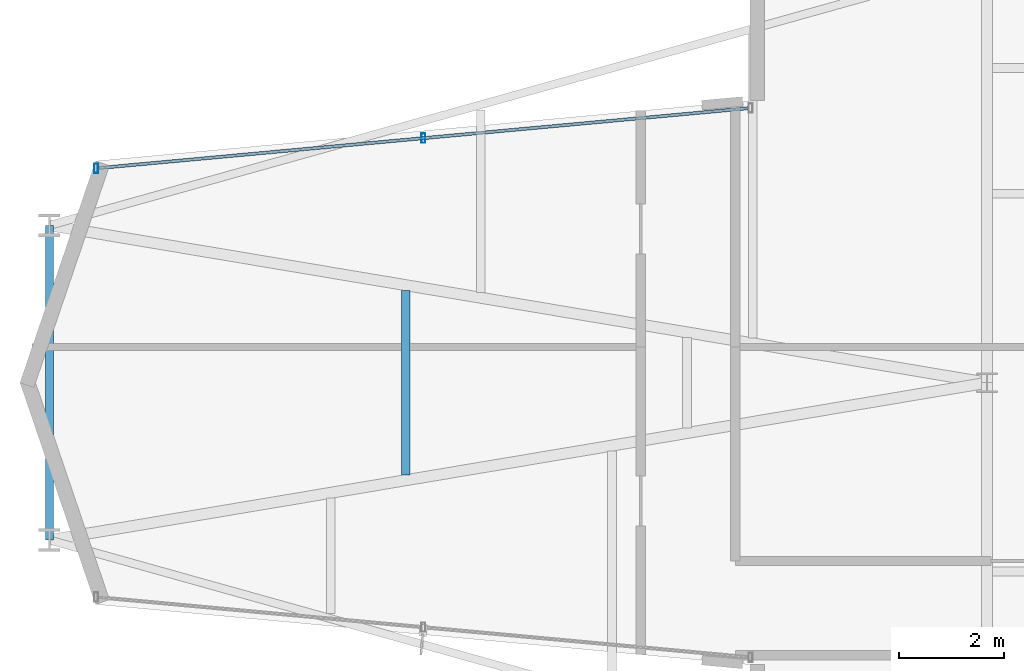
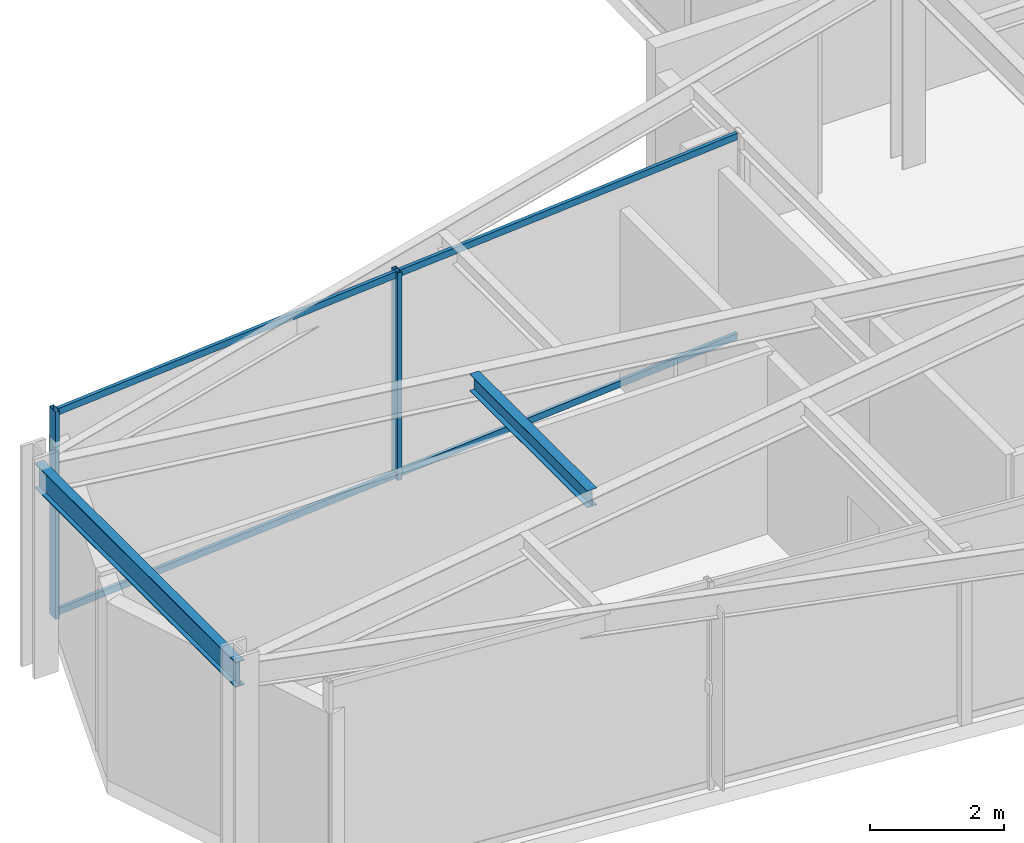
# One storey, part 9 of 22: 4 members, 2 beams, 1 element without a shape of its own.
"""IFC4 building model written with IfcOpenShell, lengths in metres."""

from ifc_helpers import new_model, si_unit, direction, frame, origin, origin_2d, place, context, subcontext, project, spatial, hollow_rectangle, i_section, extrude, material, layer, layer_set, material_profile, profile_set, type_object, element, aggregate, save


model = new_model("IFC4")

# Units and contexts
model_context = context("Model", 3, precision=1e-05, world=origin(), true_north=direction((0.0, 1.0)))
body_context = subcontext(model_context, "Body", "Model", "MODEL_VIEW")
ifc_project = project(units=[si_unit("LENGTHUNIT", "METRE"), si_unit("AREAUNIT", "SQUARE_METRE"), si_unit("VOLUMEUNIT", "CUBIC_METRE"), si_unit("PLANEANGLEUNIT", "RADIAN"), si_unit("MASSUNIT", "GRAM", prefix="KILO")], contexts=[model_context])

# Site, building, storey
site_placement = place(None, origin())
site = spatial("IfcSite", under=ifc_project, at=site_placement, CompositionType="ELEMENT")
building_placement = place(site_placement, origin())
building = spatial("IfcBuilding", under=site, at=building_placement, Name="Veymaron Broadcast Tower", CompositionType="ELEMENT")
storey_placement = place(building_placement, frame((0.0, 0.0, 204.0)))
storey = spatial("IfcBuildingStorey", under=building, at=storey_placement, Name="L47", CompositionType="ELEMENT", Elevation=204.0)

# Beams
ifc_material_1 = material(Name="Structural steel ASTM A992 Gr 50", Category="steel")
ifc_material_profile_1 = material_profile(ifc_material_1, i_section(OverallWidth=0.1650390625, OverallDepth=0.31005859375, WebThickness=0.005859375, FlangeThickness=0.009765625, at=origin_2d()), Name="W310X39")
ifc_profile_set_1 = profile_set([ifc_material_profile_1], Name="Structural steel ASTM A992 Gr 50")
beam_type_1 = type_object("IfcBeamType", Name="BM-JS3", PredefinedType="JOIST", material=ifc_profile_set_1)
beam_1_placement = place(storey_placement, frame((20.114501953125, 22.239990234375, 3.635009765625), z_axis=(0.0, 1.0, 0.0), x_axis=(-1.0, 0.0, 0.0)))
element("IfcBeam", 1, at=beam_1_placement, inside=storey, type_object=beam_type_1, Name="L47 Arm-A secondary joist 1M", PredefinedType="JOIST", context=body_context, shape_type="SweptSolid", body=[
    extrude(i_section(OverallWidth=0.1650390625, OverallDepth=0.31005859375, WebThickness=0.005859375, FlangeThickness=0.009765625, at=origin_2d()), origin(), (0.0, 0.0, 1.0), 3.52001953125),
])
ifc_material_profile_2 = material_profile(ifc_material_1, i_section(OverallWidth=0.154052734375, OverallDepth=0.458984375, WebThickness=0.009033203125, FlangeThickness=0.015380859375, at=origin_2d()), Name="W460X68")
ifc_profile_set_2 = profile_set([ifc_material_profile_2], Name="Structural steel ASTM A992 Gr 50")
beam_type_2 = type_object("IfcBeamType", Name="BM-SP2", PredefinedType="SPANDREL", material=ifc_profile_set_2)
beam_2_placement = place(storey_placement, frame((13.320068359375, 21.0, 3.560546875), z_axis=(0.0, 1.0, 0.0), x_axis=(-1.0, 0.0, 0.0)))
element("IfcBeam", 2, at=beam_2_placement, inside=storey, type_object=beam_type_2, Name="L47 primary structural floor girder", PredefinedType="SPANDREL", context=body_context, shape_type="SweptSolid", body=[
    extrude(i_section(OverallWidth=0.154052734375, OverallDepth=0.458984375, WebThickness=0.009033203125, FlangeThickness=0.015380859375, at=origin_2d()), origin(), (0.0, 0.0, 1.0), 6.0),
])

# Curtain wall, members
ifc_material_2 = material(Name="Anodised aluminium AA 6063-T6 and laminated low-E dark glass", Category="aluminium")
ifc_layer = layer(ifc_material_2, 0.179931640625)
ifc_layer_set = layer_set([ifc_layer], Name="Anodised aluminium AA 6063-T6 and laminated low-E dark glass")
curtain_wall_type = type_object("IfcCurtainWallType", Name="CW-SYS-05", PredefinedType="NOTDEFINED", material=ifc_layer_set)
curtain_wall_placement = place(storey_placement, origin())
curtain_wall = element("IfcCurtainWall", 3, at=curtain_wall_placement, inside=storey, type_object=curtain_wall_type, Name="L47 dark-glass curtain wall CW-L47-E11-1", PredefinedType="NOTDEFINED")
ifc_material_3 = material(Name="Anodised aluminium AA 6063-T6", Category="aluminium")
ifc_material_profile_3 = material_profile(ifc_material_3, hollow_rectangle(XDim=0.074951171875, YDim=0.179931640625, WallThickness=0.0048828125, at=origin_2d()), Name="AL180X75X5")
ifc_profile_set_3 = profile_set([ifc_material_profile_3], Name="Anodised aluminium AA 6063-T6")
member_type_1 = type_object("IfcMemberType", Name="CW-MUL-02", PredefinedType="MULLION", material=ifc_profile_set_3)
member_1_placement = place(storey_placement, frame((20.452880859375, 28.6630859375, 0.0), z_axis=(0.0, 0.0, 1.0), x_axis=(1.0, 0.0, 0.0)))
member_1 = element("IfcMember", 4, at=member_1_placement, type_object=member_type_1, Name="CW-L47-E11-1 mullion 1", PredefinedType="MULLION", context=body_context, shape_type="SweptSolid", body=[
    extrude(hollow_rectangle(XDim=0.074951171875, YDim=0.179931640625, WallThickness=0.0048828125, at=origin_2d()), origin(), (0.0, 0.0, 1.0), 3.7900390625),
])
member_2_placement = place(storey_placement, frame((14.212890625, 28.087646484375, 0.0), z_axis=(0.0, 0.0, 1.0), x_axis=(1.0, 0.0, 0.0)))
member_2 = element("IfcMember", 5, at=member_2_placement, type_object=member_type_1, Name="CW-L47-E11-1 mullion 2", PredefinedType="MULLION", context=body_context, shape_type="SweptSolid", body=[
    extrude(hollow_rectangle(XDim=0.074951171875, YDim=0.179931640625, WallThickness=0.0048828125, at=origin_2d()), origin(), (0.0, 0.0, 1.0), 3.7900390625),
])
ifc_material_profile_4 = material_profile(ifc_material_3, hollow_rectangle(XDim=0.06005859375, YDim=0.1201171875, WallThickness=0.00390625, at=origin_2d()), Name="AL120X60X4")
ifc_profile_set_4 = profile_set([ifc_material_profile_4], Name="Anodised aluminium AA 6063-T6")
member_type_2 = type_object("IfcMemberType", Name="CW-TRN-02", PredefinedType="USERDEFINED", material=ifc_profile_set_4)
member_3_placement = place(storey_placement, frame((26.64306640625, 29.233642578125, 0.070068359375), z_axis=(-0.995777317913, -0.091801596554, 0.0), x_axis=(0.091801596554, -0.995777317913, 0.0)))
member_3 = element("IfcMember", 6, at=member_3_placement, type_object=member_type_2, Name="CW-L47-E11-1 transom B", ObjectType="TRANSOM", PredefinedType="USERDEFINED", context=body_context, shape_type="SweptSolid", body=[
    extrude(hollow_rectangle(XDim=0.06005859375, YDim=0.1201171875, WallThickness=0.00390625, at=origin_2d()), origin(), (0.0, 0.0, 1.0), 12.432861328125),
])
member_4_placement = place(storey_placement, frame((26.64306640625, 29.233642578125, 3.719970703125), z_axis=(-0.995777317913, -0.091801596554, 0.0), x_axis=(0.091801596554, -0.995777317913, 0.0)))
member_4 = element("IfcMember", 7, at=member_4_placement, type_object=member_type_2, Name="CW-L47-E11-1 transom T", ObjectType="TRANSOM", PredefinedType="USERDEFINED", context=body_context, shape_type="SweptSolid", body=[
    extrude(hollow_rectangle(XDim=0.06005859375, YDim=0.1201171875, WallThickness=0.00390625, at=origin_2d()), origin(), (0.0, 0.0, 1.0), 12.432861328125),
])
aggregate(curtain_wall, [member_1, member_2, member_3, member_4])

save(model, "model.ifc")
